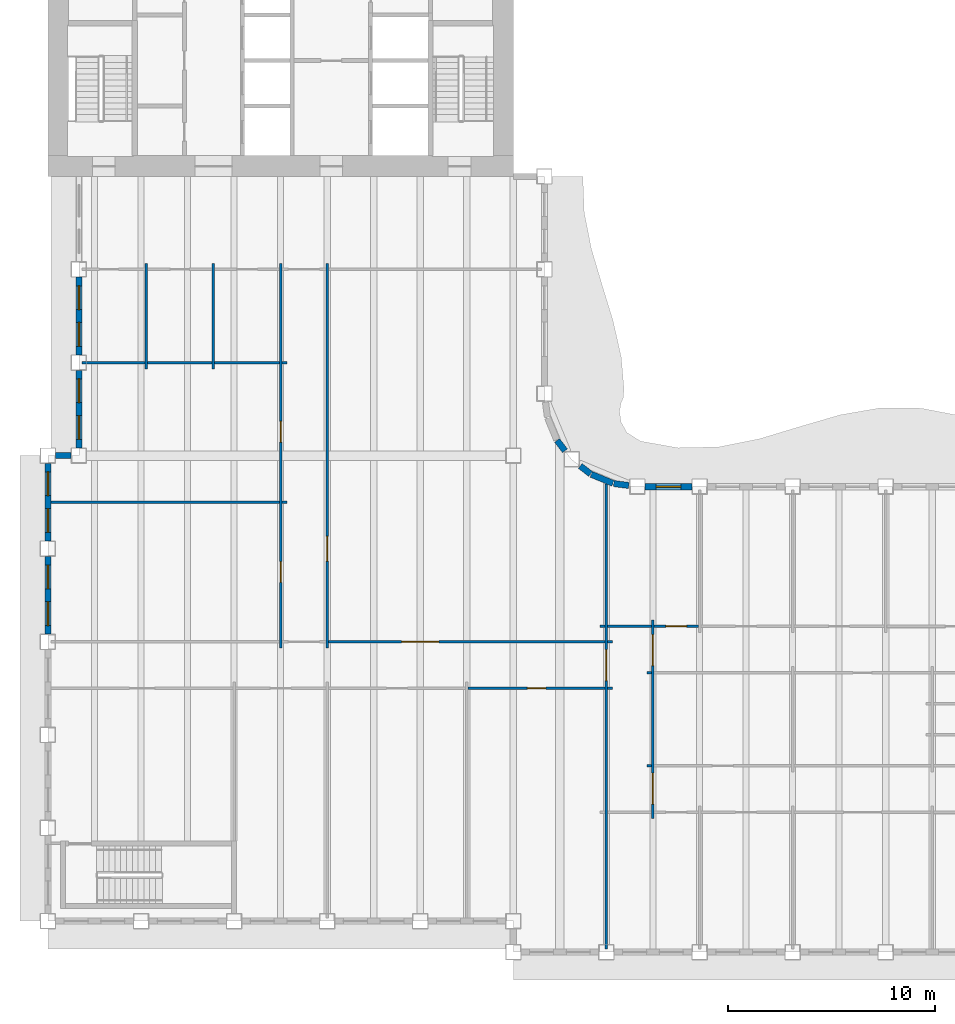
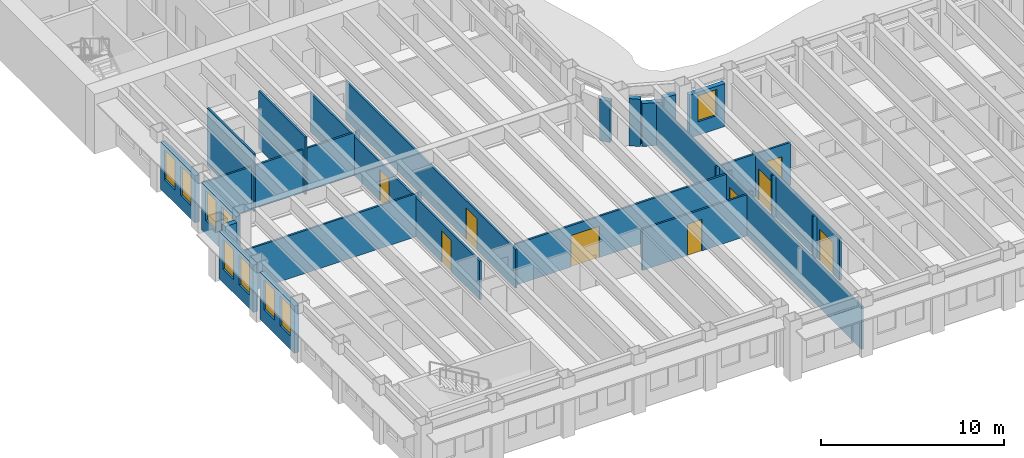
# One storey, part 4 of 16: 31 walls, 9 doors, 9 windows, 18 openings.
"""IFC4 building model written with IfcOpenShell, lengths in metres."""

from ifc_helpers import new_model, si_unit, direction, frame, frame_2d, origin, place, context, subcontext, project, spatial, rectangle, extrude, material, layer, layer_set, type_object, element, fill, save


model = new_model("IFC4")

# Units and contexts
model_context = context("Model", 3, precision=1e-05, world=origin(), true_north=direction((0.0, 1.0)))
body_context = subcontext(model_context, "Body", "Model", "MODEL_VIEW")
ifc_project = project(units=[si_unit("LENGTHUNIT", "METRE"), si_unit("AREAUNIT", "SQUARE_METRE"), si_unit("VOLUMEUNIT", "CUBIC_METRE"), si_unit("PLANEANGLEUNIT", "RADIAN"), si_unit("MASSUNIT", "GRAM", prefix="KILO")], contexts=[model_context])

# Site, building, storey
site_placement = place(None, origin())
site = spatial("IfcSite", under=ifc_project, at=site_placement, CompositionType="ELEMENT")
building_placement = place(site_placement, origin())
building = spatial("IfcBuilding", under=site, at=building_placement, Name="Sennacour Bend Tower", CompositionType="ELEMENT")
storey_placement = place(building_placement, frame((0.0, 0.0, 211.0)))
storey = spatial("IfcBuildingStorey", under=building, at=storey_placement, Name="L48", CompositionType="ELEMENT", Elevation=211.0)

# Walls
ifc_material_1 = material(Name="Plasterboard partition on steel studs", Category="steel")
ifc_layer_1 = layer(ifc_material_1, 0.1201171875, Name="Plasterboard partition on steel studs", Category="steel")
ifc_layer_set_1 = layer_set([ifc_layer_1], Name="Plasterboard partition on steel studs")
wall_type_1 = type_object("IfcWallType", Name="Partition 120", PredefinedType="PARTITIONING", material=ifc_layer_set_1)
for number, where, z_axis, x_axis, name in (
    (1, (4.75, 26.699951171875, 0.0), (0.0, 0.0, 1.0), (0.0, 1.0, 0.0), "P-L48-W006a"),
    (2, (8.0, 26.699951171875, 0.0), (0.0, 0.0, 1.0), (0.0, 1.0, 0.0), "P-L48-W008a"),
):
    element("IfcWall", number, at=place(storey_placement, frame(where, z_axis=z_axis, x_axis=x_axis)), inside=storey, type_object=wall_type_1, Name=name, PredefinedType="PARTITIONING", context=body_context, shape_type="SweptSolid", body=[
        extrude(rectangle(XDim=5.10009765625, YDim=0.1201171875, at=frame_2d((2.550048828125, 0.0))), origin(), (0.0, 0.0, 1.0), 3.85009765625),
    ])

# Wall, openings, doors
wall_1_placement = place(storey_placement, frame((11.25, 13.199951171875, 0.0), z_axis=(0.0, 0.0, 1.0), x_axis=(0.0, 1.0, 0.0)))
wall_1 = element("IfcWall", 3, at=wall_1_placement, inside=storey, type_object=wall_type_1, Name="P-L48-W013a", PredefinedType="PARTITIONING", context=body_context, shape_type="SweptSolid", body=[
    extrude(rectangle(XDim=18.60009765625, YDim=0.1201171875, at=frame_2d((9.300048828125, 0.0))), origin(), (0.0, 0.0, 1.0), 2.60009765625),
])
opening_1_placement = place(wall_1_placement, frame((3.175048828125, 0.0, 0.0)))
opening_1 = element("IfcOpeningElement", 4, at=opening_1_placement, cuts=wall_1, Name="Opening OD2", PredefinedType="OPENING", context=body_context, shape_type="SweptSolid", body=[
    extrude(rectangle(XDim=1.0, YDim=2.10009765625, at=frame_2d((0.5, 1.050048828125))), frame((0.0, 0.070068359375, 0.0), z_axis=(0.0, -1.0, 0.0), x_axis=(1.0, 0.0, 0.0)), (0.0, 0.0, 1.0), 0.14013671875),
])
opening_2_placement = place(wall_1_placement, frame((9.955078125, 0.0, 0.0)))
opening_2 = element("IfcOpeningElement", 5, at=opening_2_placement, cuts=wall_1, Name="Opening OD2", PredefinedType="OPENING", context=body_context, shape_type="SweptSolid", body=[
    extrude(rectangle(XDim=1.0, YDim=2.10009765625, at=frame_2d((0.5, 1.050048828125))), frame((0.0, 0.070068359375, 0.0), z_axis=(0.0, -1.0, 0.0), x_axis=(1.0, 0.0, 0.0)), (0.0, 0.0, 1.0), 0.14013671875),
])
ifc_material_2 = material(Name="Timber", Category="wood")
door_type_1 = type_object("IfcDoorType", Name="DR-OFFICE-1000", OperationType="NOTDEFINED", PredefinedType="DOOR", material=ifc_material_2)
door_1_placement = place(opening_1_placement, origin())
door_1 = element("IfcDoor", 6, at=door_1_placement, inside=storey, type_object=door_type_1, Name="Door", OperationType="SINGLE_SWING_LEFT", OverallHeight=2.10009765625, OverallWidth=1.0, PredefinedType="DOOR", context=body_context, shape_type="SweptSolid", body=[
    extrude(rectangle(XDim=1.0, YDim=2.10009765625, at=frame_2d((0.5, 1.050048828125))), frame((0.0, 0.02490234375, 0.0), z_axis=(0.0, -1.0, 0.0), x_axis=(1.0, 0.0, 0.0)), (0.0, 0.0, 1.0), 0.050048828125),
])
fill(opening_1, door_1)
door_2_placement = place(opening_2_placement, origin())
door_2 = element("IfcDoor", 7, at=door_2_placement, inside=storey, type_object=door_type_1, Name="Door", OperationType="SINGLE_SWING_RIGHT", OverallHeight=2.10009765625, OverallWidth=1.0, PredefinedType="DOOR", context=body_context, shape_type="SweptSolid", body=[
    extrude(rectangle(XDim=1.0, YDim=2.10009765625, at=frame_2d((0.5, 1.050048828125))), frame((0.0, 0.02490234375, 0.0), z_axis=(0.0, -1.0, 0.0), x_axis=(1.0, 0.0, 0.0)), (0.0, 0.0, 1.0), 0.050048828125),
])
fill(opening_2, door_2)

# Wall, opening, door
wall_2_placement = place(storey_placement, frame((13.5, 13.199951171875, 0.0), z_axis=(0.0, 0.0, 1.0), x_axis=(0.0, 1.0, 0.0)))
wall_2 = element("IfcWall", 8, at=wall_2_placement, inside=storey, type_object=wall_type_1, Name="P-L48-W016a", PredefinedType="PARTITIONING", context=body_context, shape_type="SweptSolid", body=[
    extrude(rectangle(XDim=18.60009765625, YDim=0.1201171875, at=frame_2d((9.300048828125, 0.0))), origin(), (0.0, 0.0, 1.0), 2.60009765625),
])
opening_3_placement = place(wall_2_placement, frame((4.199951171875, 0.0, 0.0)))
opening_3 = element("IfcOpeningElement", 9, at=opening_3_placement, cuts=wall_2, Name="Opening OD", PredefinedType="OPENING", context=body_context, shape_type="SweptSolid", body=[
    extrude(rectangle(XDim=1.199951171875, YDim=2.10009765625, at=frame_2d((0.60009765625, 1.050048828125))), frame((0.0, 0.070068359375, 0.0), z_axis=(0.0, -1.0, 0.0), x_axis=(1.0, 0.0, 0.0)), (0.0, 0.0, 1.0), 0.14013671875),
])
door_type_2 = type_object("IfcDoorType", Name="DR-OFFICE-1200", OperationType="NOTDEFINED", PredefinedType="DOOR", material=ifc_material_2)
door_3_placement = place(opening_3_placement, origin())
door_3 = element("IfcDoor", 10, at=door_3_placement, inside=storey, type_object=door_type_2, Name="Door", OperationType="SINGLE_SWING_LEFT", OverallHeight=2.10009765625, OverallWidth=1.199951171875, PredefinedType="DOOR", context=body_context, shape_type="SweptSolid", body=[
    extrude(rectangle(XDim=1.199951171875, YDim=2.10009765625, at=frame_2d((0.60009765625, 1.050048828125))), frame((0.0, 0.02490234375, 0.0), z_axis=(0.0, -1.0, 0.0), x_axis=(1.0, 0.0, 0.0)), (0.0, 0.0, 1.0), 0.050048828125),
])
fill(opening_3, door_3)

# Walls
for number, where, z_axis, x_axis, name in (
    (11, (28.949951171875, 7.5, 0.0), (0.0, 0.0, 1.0), (1.0, 0.0, 0.0), "P-L48-W057aa"),
    (12, (27.06005859375, 11.25, 0.0), (0.0, 0.0, 1.0), (1.0, 0.0, 0.0), "P-L48-W061ae"),
    (13, (28.949951171875, 12.0, 0.0), (0.0, 0.0, 1.0), (1.0, 0.0, 0.0), "P-L48-W063aa"),
):
    element("IfcWall", number, at=place(storey_placement, frame(where, z_axis=z_axis, x_axis=x_axis)), inside=storey, type_object=wall_type_1, Name=name, PredefinedType="PARTITIONING", context=body_context, shape_type="SweptSolid", body=[
        extrude(rectangle(XDim=0.239990234375, YDim=0.1201171875, at=frame_2d((0.1201171875, 0.0))), origin(), (0.0, 0.0, 1.0), 2.8701171875),
    ])

# Wall, opening, door
wall_3_placement = place(storey_placement, frame((13.56005859375, 13.5, 0.0), z_axis=(0.0, 0.0, 1.0), x_axis=(1.0, 0.0, 0.0)))
wall_3 = element("IfcWall", 14, at=wall_3_placement, inside=storey, type_object=wall_type_1, Name="P-L48-W064ac", PredefinedType="PARTITIONING", context=body_context, shape_type="SweptSolid", body=[
    extrude(rectangle(XDim=13.3798828125, YDim=0.1201171875, at=frame_2d((6.68994140625, 0.0))), origin(), (0.0, 0.0, 1.0), 2.760009765625),
])
opening_4_placement = place(wall_3_placement, frame((3.539794921875, 0.0, 0.0)))
opening_4 = element("IfcOpeningElement", 15, at=opening_4_placement, cuts=wall_3, Name="Opening OD3", PredefinedType="OPENING", context=body_context, shape_type="SweptSolid", body=[
    extrude(rectangle(XDim=1.800048828125, YDim=2.10009765625, at=frame_2d((0.89990234375, 1.050048828125))), frame((0.0, 0.070068359375, 0.0), z_axis=(0.0, -1.0, 0.0), x_axis=(1.0, 0.0, 0.0)), (0.0, 0.0, 1.0), 0.14013671875),
])
door_type_3 = type_object("IfcDoorType", Name="DR-OFFICE-1800", OperationType="NOTDEFINED", PredefinedType="DOOR", material=ifc_material_2)
door_4_placement = place(opening_4_placement, origin())
door_4 = element("IfcDoor", 16, at=door_4_placement, inside=storey, type_object=door_type_3, Name="Door", OperationType="DOUBLE_DOOR_SINGLE_SWING", OverallHeight=2.10009765625, OverallWidth=1.800048828125, PredefinedType="DOOR", context=body_context, shape_type="SweptSolid", body=[
    extrude(rectangle(XDim=1.800048828125, YDim=2.10009765625, at=frame_2d((0.89990234375, 1.050048828125))), frame((0.0, 0.02490234375, 0.0), z_axis=(0.0, -1.0, 0.0), x_axis=(1.0, 0.0, 0.0)), (0.0, 0.0, 1.0), 0.050048828125),
])
fill(opening_4, door_4)

# Walls
for number, where, z_axis, x_axis, name in (
    (17, (27.06005859375, 13.5, 0.0), (0.0, 0.0, 1.0), (1.0, 0.0, 0.0), "P-L48-W064ad"),
    (18, (26.699951171875, 14.25, 0.0), (0.0, 0.0, 1.0), (1.0, 0.0, 0.0), "P-L48-W065aa"),
):
    element("IfcWall", number, at=place(storey_placement, frame(where, z_axis=z_axis, x_axis=x_axis)), inside=storey, type_object=wall_type_1, Name=name, PredefinedType="PARTITIONING", context=body_context, shape_type="SweptSolid", body=[
        extrude(rectangle(XDim=0.239990234375, YDim=0.1201171875, at=frame_2d((0.1201171875, 0.0))), origin(), (0.0, 0.0, 1.0), 2.8701171875),
    ])
wall_4_placement = place(storey_placement, frame((27.06005859375, 14.25, 0.0), z_axis=(0.0, 0.0, 1.0), x_axis=(1.0, 0.0, 0.0)))
element("IfcWall", 19, at=wall_4_placement, inside=storey, type_object=wall_type_1, Name="P-L48-W065ab", PredefinedType="PARTITIONING", context=body_context, shape_type="SweptSolid", body=[
    extrude(rectangle(XDim=2.1298828125, YDim=0.1201171875, at=frame_2d((1.06494140625, 0.0))), origin(), (0.0, 0.0, 1.0), 2.8701171875),
])

# Wall, opening, door
wall_5_placement = place(storey_placement, frame((29.31005859375, 14.25, 0.0), z_axis=(0.0, 0.0, 1.0), x_axis=(1.0, 0.0, 0.0)))
wall_5 = element("IfcWall", 20, at=wall_5_placement, inside=storey, type_object=wall_type_1, Name="P-L48-W065ac", PredefinedType="PARTITIONING", context=body_context, shape_type="SweptSolid", body=[
    extrude(rectangle(XDim=2.1298828125, YDim=0.1201171875, at=frame_2d((1.06494140625, 0.0))), origin(), (0.0, 0.0, 1.0), 2.8701171875),
])
opening_5_placement = place(wall_5_placement, frame((0.56494140625, 0.0, 0.0)))
opening_5 = element("IfcOpeningElement", 21, at=opening_5_placement, cuts=wall_5, Name="Opening OD2", PredefinedType="OPENING", context=body_context, shape_type="SweptSolid", body=[
    extrude(rectangle(XDim=1.0, YDim=2.10009765625, at=frame_2d((0.5, 1.050048828125))), frame((0.0, 0.070068359375, 0.0), z_axis=(0.0, -1.0, 0.0), x_axis=(1.0, 0.0, 0.0)), (0.0, 0.0, 1.0), 0.14013671875),
])
door_5_placement = place(opening_5_placement, origin())
door_5 = element("IfcDoor", 22, at=door_5_placement, inside=storey, type_object=door_type_1, Name="Door", OperationType="SINGLE_SWING_LEFT", OverallHeight=2.10009765625, OverallWidth=1.0, PredefinedType="DOOR", context=body_context, shape_type="SweptSolid", body=[
    extrude(rectangle(XDim=1.0, YDim=2.10009765625, at=frame_2d((0.5, 1.050048828125))), frame((0.0, 0.02490234375, 0.0), z_axis=(0.0, -1.0, 0.0), x_axis=(1.0, 0.0, 0.0)), (0.0, 0.0, 1.0), 0.050048828125),
])
fill(opening_5, door_5)

# Walls
wall_6_placement = place(storey_placement, frame((0.14990234375, 20.25, 0.0), z_axis=(0.0, 0.0, 1.0), x_axis=(1.0, 0.0, 0.0)))
element("IfcWall", 23, at=wall_6_placement, inside=storey, type_object=wall_type_1, Name="P-L48-W071aa", PredefinedType="PARTITIONING", context=body_context, shape_type="SweptSolid", body=[
    extrude(rectangle(XDim=11.0400390625, YDim=0.1201171875, at=frame_2d((5.52001953125, 0.0))), origin(), (0.0, 0.0, 1.0), 2.8701171875),
])
wall_7_placement = place(storey_placement, frame((11.31005859375, 20.25, 0.0), z_axis=(0.0, 0.0, 1.0), x_axis=(1.0, 0.0, 0.0)))
element("IfcWall", 24, at=wall_7_placement, inside=storey, type_object=wall_type_1, Name="P-L48-W071ab", PredefinedType="PARTITIONING", context=body_context, shape_type="SweptSolid", body=[
    extrude(rectangle(XDim=0.239990234375, YDim=0.1201171875, at=frame_2d((0.1201171875, 0.0))), origin(), (0.0, 0.0, 1.0), 2.8701171875),
])
wall_8_placement = place(storey_placement, frame((1.64990234375, 27.0, 0.0), z_axis=(0.0, 0.0, 1.0), x_axis=(1.0, 0.0, 0.0)))
element("IfcWall", 25, at=wall_8_placement, inside=storey, type_object=wall_type_1, Name="P-L48-W074aa", PredefinedType="PARTITIONING", context=body_context, shape_type="SweptSolid", body=[
    extrude(rectangle(XDim=3.0400390625, YDim=0.1201171875, at=frame_2d((1.52001953125, 0.0))), origin(), (0.0, 0.0, 1.0), 2.8701171875),
])
for number, where, z_axis, x_axis, name in (
    (26, (4.81005859375, 27.0, 0.0), (0.0, 0.0, 1.0), (1.0, 0.0, 0.0), "P-L48-W074ab"),
    (27, (8.06005859375, 27.0, 0.0), (0.0, 0.0, 1.0), (1.0, 0.0, 0.0), "P-L48-W074ac"),
):
    element("IfcWall", number, at=place(storey_placement, frame(where, z_axis=z_axis, x_axis=x_axis)), inside=storey, type_object=wall_type_1, Name=name, PredefinedType="PARTITIONING", context=body_context, shape_type="SweptSolid", body=[
        extrude(rectangle(XDim=3.1298828125, YDim=0.1201171875, at=frame_2d((1.56494140625, 0.0))), origin(), (0.0, 0.0, 1.0), 2.8701171875),
    ])
wall_9_placement = place(storey_placement, frame((11.31005859375, 27.0, 0.0), z_axis=(0.0, 0.0, 1.0), x_axis=(1.0, 0.0, 0.0)))
element("IfcWall", 28, at=wall_9_placement, inside=storey, type_object=wall_type_1, Name="P-L48-W074ad", PredefinedType="PARTITIONING", context=body_context, shape_type="SweptSolid", body=[
    extrude(rectangle(XDim=0.239990234375, YDim=0.1201171875, at=frame_2d((0.1201171875, 0.0))), origin(), (0.0, 0.0, 1.0), 2.8701171875),
])

# Wall, opening, door
ifc_layer_2 = layer(ifc_material_1, 0.1201171875, Name="Plasterboard partition on steel studs", Category="steel")
ifc_layer_set_2 = layer_set([ifc_layer_2], Name="Plasterboard partition on steel studs")
wall_type_2 = type_object("IfcWallType", Name="Partition 120 EI 30", PredefinedType="PARTITIONING", material=ifc_layer_set_2)
wall_10_placement = place(storey_placement, frame((27.0, -1.35009765625, 0.0), z_axis=(0.0, 0.0, 1.0), x_axis=(0.0, 1.0, 0.0)))
wall_10 = element("IfcWall", 29, at=wall_10_placement, inside=storey, type_object=wall_type_2, Name="P-L48-W024a", PredefinedType="PARTITIONING", context=body_context, shape_type="SweptSolid", body=[
    extrude(rectangle(XDim=22.47998046875, YDim=0.1201171875, at=frame_2d((11.239990234375, 0.0))), origin(), (0.0, 0.0, 1.0), 2.8701171875),
])
opening_6_placement = place(wall_10_placement, frame((12.97509765625, 0.0, 0.0)))
opening_6 = element("IfcOpeningElement", 30, at=opening_6_placement, cuts=wall_10, Name="Opening KD", PredefinedType="OPENING", context=body_context, shape_type="SweptSolid", body=[
    extrude(rectangle(XDim=1.5, YDim=2.10009765625, at=frame_2d((0.75, 1.050048828125))), frame((0.0, 0.070068359375, 0.0), z_axis=(0.0, -1.0, 0.0), x_axis=(1.0, 0.0, 0.0)), (0.0, 0.0, 1.0), 0.14013671875),
])
ifc_material_3 = material(Name="Painted steel", Category="steel")
door_type_4 = type_object("IfcDoorType", Name="DR-CORRIDOR-1500", OperationType="NOTDEFINED", PredefinedType="DOOR", material=ifc_material_3)
door_6_placement = place(opening_6_placement, origin())
door_6 = element("IfcDoor", 31, at=door_6_placement, inside=storey, type_object=door_type_4, Name="Door", OperationType="SINGLE_SWING_RIGHT", OverallHeight=2.10009765625, OverallWidth=1.5, PredefinedType="DOOR", context=body_context, shape_type="SweptSolid", body=[
    extrude(rectangle(XDim=1.5, YDim=2.10009765625, at=frame_2d((0.75, 1.050048828125))), frame((0.0, 0.02490234375, 0.0), z_axis=(0.0, -1.0, 0.0), x_axis=(1.0, 0.0, 0.0)), (0.0, 0.0, 1.0), 0.050048828125),
])
fill(opening_6, door_6)

# Wall, openings, doors
wall_11_placement = place(storey_placement, frame((29.25, 4.949951171875, 0.0), z_axis=(0.0, 0.0, 1.0), x_axis=(0.0, 1.0, 0.0)))
wall_11 = element("IfcWall", 32, at=wall_11_placement, inside=storey, type_object=wall_type_2, Name="P-L48-W025a", PredefinedType="PARTITIONING", context=body_context, shape_type="SweptSolid", body=[
    extrude(rectangle(XDim=9.60009765625, YDim=0.1201171875, at=frame_2d((4.800048828125, 0.0))), origin(), (0.0, 0.0, 1.0), 2.8701171875),
])
opening_7_placement = place(wall_11_placement, frame((0.705078125, 0.0, 0.0)))
opening_7 = element("IfcOpeningElement", 33, at=opening_7_placement, cuts=wall_11, Name="Opening KD", PredefinedType="OPENING", context=body_context, shape_type="SweptSolid", body=[
    extrude(rectangle(XDim=1.5, YDim=2.10009765625, at=frame_2d((0.75, 1.050048828125))), frame((0.0, 0.070068359375, 0.0), z_axis=(0.0, -1.0, 0.0), x_axis=(1.0, 0.0, 0.0)), (0.0, 0.0, 1.0), 0.14013671875),
])
opening_8_placement = place(wall_11_placement, frame((7.39501953125, 0.0, 0.0)))
opening_8 = element("IfcOpeningElement", 34, at=opening_8_placement, cuts=wall_11, Name="Opening KD", PredefinedType="OPENING", context=body_context, shape_type="SweptSolid", body=[
    extrude(rectangle(XDim=1.5, YDim=2.10009765625, at=frame_2d((0.75, 1.050048828125))), frame((0.0, 0.070068359375, 0.0), z_axis=(0.0, -1.0, 0.0), x_axis=(1.0, 0.0, 0.0)), (0.0, 0.0, 1.0), 0.14013671875),
])
door_7_placement = place(opening_7_placement, origin())
door_7 = element("IfcDoor", 35, at=door_7_placement, inside=storey, type_object=door_type_4, Name="Door", OperationType="SINGLE_SWING_LEFT", OverallHeight=2.10009765625, OverallWidth=1.5, PredefinedType="DOOR", context=body_context, shape_type="SweptSolid", body=[
    extrude(rectangle(XDim=1.5, YDim=2.10009765625, at=frame_2d((0.75, 1.050048828125))), frame((0.0, 0.02490234375, 0.0), z_axis=(0.0, -1.0, 0.0), x_axis=(1.0, 0.0, 0.0)), (0.0, 0.0, 1.0), 0.050048828125),
])
fill(opening_7, door_7)
door_8_placement = place(opening_8_placement, origin())
door_8 = element("IfcDoor", 36, at=door_8_placement, inside=storey, type_object=door_type_4, Name="Door", OperationType="SINGLE_SWING_RIGHT", OverallHeight=2.10009765625, OverallWidth=1.5, PredefinedType="DOOR", context=body_context, shape_type="SweptSolid", body=[
    extrude(rectangle(XDim=1.5, YDim=2.10009765625, at=frame_2d((0.75, 1.050048828125))), frame((0.0, 0.02490234375, 0.0), z_axis=(0.0, -1.0, 0.0), x_axis=(1.0, 0.0, 0.0)), (0.0, 0.0, 1.0), 0.050048828125),
])
fill(opening_8, door_8)

# Wall, opening, door
ifc_layer_3 = layer(ifc_material_1, 0.1201171875, Name="Plasterboard partition on steel studs", Category="steel")
ifc_layer_set_3 = layer_set([ifc_layer_3], Name="Plasterboard partition on steel studs")
wall_type_3 = type_object("IfcWallType", Name="Partition 120 EI 60", PredefinedType="PARTITIONING", material=ifc_layer_set_3)
wall_12_placement = place(storey_placement, frame((20.31005859375, 11.25, 0.0), z_axis=(0.0, 0.0, 1.0), x_axis=(1.0, 0.0, 0.0)))
wall_12 = element("IfcWall", 37, at=wall_12_placement, inside=storey, type_object=wall_type_3, Name="P-L48-W061ad", PredefinedType="PARTITIONING", context=body_context, shape_type="SweptSolid", body=[
    extrude(rectangle(XDim=6.6298828125, YDim=0.1201171875, at=frame_2d((3.31494140625, 0.0))), origin(), (0.0, 0.0, 1.0), 2.760009765625),
])
opening_9_placement = place(wall_12_placement, frame((2.864990234375, 0.0, 0.0)))
opening_9 = element("IfcOpeningElement", 38, at=opening_9_placement, cuts=wall_12, Name="Opening SV", PredefinedType="OPENING", context=body_context, shape_type="SweptSolid", body=[
    extrude(rectangle(XDim=0.89990234375, YDim=2.10009765625, at=frame_2d((0.449951171875, 1.050048828125))), frame((0.0, 0.070068359375, 0.0), z_axis=(0.0, -1.0, 0.0), x_axis=(1.0, 0.0, 0.0)), (0.0, 0.0, 1.0), 0.14013671875),
])
door_type_5 = type_object("IfcDoorType", Name="DR-SERVICE-900", OperationType="NOTDEFINED", PredefinedType="DOOR", material=ifc_material_3)
door_9_placement = place(opening_9_placement, origin())
door_9 = element("IfcDoor", 39, at=door_9_placement, inside=storey, type_object=door_type_5, Name="Door", OperationType="SINGLE_SWING_LEFT", OverallHeight=2.10009765625, OverallWidth=0.89990234375, PredefinedType="DOOR", context=body_context, shape_type="SweptSolid", body=[
    extrude(rectangle(XDim=0.89990234375, YDim=2.10009765625, at=frame_2d((0.449951171875, 1.050048828125))), frame((0.0, 0.02490234375, 0.0), z_axis=(0.0, -1.0, 0.0), x_axis=(1.0, 0.0, 0.0)), (0.0, 0.0, 1.0), 0.050048828125),
])
fill(opening_9, door_9)

# Wall, opening, window
ifc_material_4 = material(Name="Warm limestone cladding", Category="masonry")
ifc_layer_4 = layer(ifc_material_4, 0.050048828125, Name="Warm limestone cladding", Category="masonry")
ifc_material_5 = material(Name="Precast concrete C40/50", Category="concrete")
ifc_layer_5 = layer(ifc_material_5, 0.25, Name="Precast concrete C40/50", Category="concrete")
ifc_layer_set_4 = layer_set([ifc_layer_4, ifc_layer_5], Name="Precast concrete C40/50 with limestone cladding")
wall_type_4 = type_object("IfcWallType", Name="STONE-CLAD PRECAST SPANDREL 300", PredefinedType="STANDARD", material=ifc_layer_set_4)
wall_13_placement = place(storey_placement, frame((31.125, 21.0, 0.0), z_axis=(0.0, 0.0, 1.0), x_axis=(-1.0, 0.0, 0.0)))
wall_13 = element("IfcWall", 40, at=wall_13_placement, inside=storey, type_object=wall_type_4, Name="Stone spandrel and pier wall L48 06.05", PredefinedType="STANDARD", context=body_context, shape_type="SweptSolid", body=[
    extrude(rectangle(XDim=2.25, YDim=0.300048828125, at=frame_2d((1.125, 0.0))), origin(), (0.0, 0.0, 1.0), 2.8701171875),
])
opening_10_placement = place(wall_13_placement, frame((0.52490234375, 0.0, 0.89990234375)))
opening_10 = element("IfcOpeningElement", 41, at=opening_10_placement, cuts=wall_13, Name="Opening W16", PredefinedType="OPENING", context=body_context, shape_type="SweptSolid", body=[
    extrude(rectangle(XDim=1.199951171875, YDim=1.75, at=frame_2d((0.60009765625, 0.875))), frame((0.0, 0.16015625, 0.0), z_axis=(0.0, -1.0, 0.0), x_axis=(1.0, 0.0, 0.0)), (0.0, 0.0, 1.0), 0.320068359375),
])
ifc_material_6 = material(Name="Clear low-emissivity glass", Category="glass")
window_type_1 = type_object("IfcWindowType", Name="WIN-RIBBON-1200x1750", PartitioningType="SINGLE_PANEL", PredefinedType="WINDOW", material=ifc_material_6)
window_1_placement = place(opening_10_placement, origin())
window_1 = element("IfcWindow", 42, at=window_1_placement, inside=storey, type_object=window_type_1, Name="Ribbon window L48 06.05", OverallHeight=1.75, OverallWidth=1.199951171875, PartitioningType="SINGLE_PANEL", PredefinedType="WINDOW", context=body_context, shape_type="SweptSolid", body=[
    extrude(rectangle(XDim=1.199951171875, YDim=1.75, at=frame_2d((0.60009765625, 0.875))), frame((0.0, 0.030029296875, 0.0), z_axis=(0.0, -1.0, 0.0), x_axis=(1.0, 0.0, 0.0)), (0.0, 0.0, 1.0), 0.06005859375),
])
fill(opening_10, window_1)

# Walls
wall_14_placement = place(storey_placement, frame((28.0830078125, 21.054931640625, 0.0), z_axis=(0.0, 0.0, 1.0), x_axis=(-0.99142711513, 0.130660917588, 0.0)))
element("IfcWall", 43, at=wall_14_placement, inside=storey, type_object=wall_type_4, Name="Stone spandrel and pier wall L48 07.00", PredefinedType="STANDARD", context=body_context, shape_type="SweptSolid", body=[
    extrude(rectangle(XDim=0.734375, YDim=0.300048828125, at=frame_2d((0.3671875, 0.0))), origin(), (0.0, 0.0, 1.0), 3.156982421875),
])
wall_15_placement = place(storey_placement, frame((27.317138671875, 21.160888671875, 0.0), z_axis=(0.0, 0.0, 1.0), x_axis=(-0.923914616768, 0.382598720491, 0.0)))
element("IfcWall", 44, at=wall_15_placement, inside=storey, type_object=wall_type_4, Name="Stone spandrel and pier wall L48 08.00", PredefinedType="STANDARD", context=body_context, shape_type="SweptSolid", body=[
    extrude(rectangle(XDim=1.13525390625, YDim=0.300048828125, at=frame_2d((0.567626953125, 0.0))), origin(), (0.0, 0.0, 1.0), 2.8701171875),
])
wall_16_placement = place(storey_placement, frame((26.234375, 21.614990234375, 0.0), z_axis=(0.0, 0.0, 1.0), x_axis=(-0.793575131083, 0.608472276547, 0.0)))
element("IfcWall", 45, at=wall_16_placement, inside=storey, type_object=wall_type_4, Name="Stone spandrel and pier wall L48 09.00", PredefinedType="STANDARD", context=body_context, shape_type="SweptSolid", body=[
    extrude(rectangle(XDim=0.629150390625, YDim=0.300048828125, at=frame_2d((0.314453125, 0.0))), origin(), (0.0, 0.0, 1.0), 3.156982421875),
])
wall_17_placement = place(storey_placement, frame((24.997802734375, 22.735107421875, 0.0), z_axis=(0.0, 0.0, 1.0), x_axis=(-0.608472276547, 0.793575131083, 0.0)))
element("IfcWall", 46, at=wall_17_placement, inside=storey, type_object=wall_type_4, Name="Stone spandrel and pier wall L48 10.00", PredefinedType="STANDARD", context=body_context, shape_type="SweptSolid", body=[
    extrude(rectangle(XDim=0.629150390625, YDim=0.300048828125, at=frame_2d((0.314453125, 0.0))), origin(), (0.0, 0.0, 1.0), 2.760009765625),
])

# Wall, openings, windows
wall_18_placement = place(storey_placement, frame((1.5, 31.125, 0.0), z_axis=(0.0, 0.0, 1.0), x_axis=(0.0, -1.0, 0.0)))
wall_18 = element("IfcWall", 47, at=wall_18_placement, inside=storey, type_object=wall_type_4, Name="Stone spandrel and pier wall L48 19.01", PredefinedType="STANDARD", context=body_context, shape_type="SweptSolid", body=[
    extrude(rectangle(XDim=3.75, YDim=0.300048828125, at=frame_2d((1.875, 0.0))), origin(), (0.0, 0.0, 1.0), 3.156982421875),
])
opening_11_placement = place(wall_18_placement, frame((0.41259765625, 0.0, 0.89990234375)))
opening_11 = element("IfcOpeningElement", 48, at=opening_11_placement, cuts=wall_18, Name="Opening W24", PredefinedType="OPENING", context=body_context, shape_type="SweptSolid", body=[
    extrude(rectangle(XDim=1.14990234375, YDim=2.0, at=frame_2d((0.574951171875, 1.0))), frame((0.0, 0.16015625, 0.0), z_axis=(0.0, -1.0, 0.0), x_axis=(1.0, 0.0, 0.0)), (0.0, 0.0, 1.0), 0.320068359375),
])
opening_12_placement = place(wall_18_placement, frame((2.1875, 0.0, 0.89990234375)))
opening_12 = element("IfcOpeningElement", 49, at=opening_12_placement, cuts=wall_18, Name="Opening W24", PredefinedType="OPENING", context=body_context, shape_type="SweptSolid", body=[
    extrude(rectangle(XDim=1.14990234375, YDim=2.0, at=frame_2d((0.574951171875, 1.0))), frame((0.0, 0.16015625, 0.0), z_axis=(0.0, -1.0, 0.0), x_axis=(1.0, 0.0, 0.0)), (0.0, 0.0, 1.0), 0.320068359375),
])
window_type_2 = type_object("IfcWindowType", Name="WIN-RIBBON-1150x2000", PartitioningType="SINGLE_PANEL", PredefinedType="WINDOW", material=ifc_material_6)
window_2_placement = place(opening_11_placement, origin())
window_2 = element("IfcWindow", 50, at=window_2_placement, inside=storey, type_object=window_type_2, Name="Ribbon window L48 19.01.0", OverallHeight=2.0, OverallWidth=1.14990234375, PartitioningType="SINGLE_PANEL", PredefinedType="WINDOW", context=body_context, shape_type="SweptSolid", body=[
    extrude(rectangle(XDim=1.14990234375, YDim=2.0, at=frame_2d((0.574951171875, 1.0))), frame((0.0, 0.030029296875, 0.0), z_axis=(0.0, -1.0, 0.0), x_axis=(1.0, 0.0, 0.0)), (0.0, 0.0, 1.0), 0.06005859375),
])
fill(opening_11, window_2)
window_3_placement = place(opening_12_placement, origin())
window_3 = element("IfcWindow", 51, at=window_3_placement, inside=storey, type_object=window_type_2, Name="Ribbon window L48 19.01.1", OverallHeight=2.0, OverallWidth=1.14990234375, PartitioningType="SINGLE_PANEL", PredefinedType="WINDOW", context=body_context, shape_type="SweptSolid", body=[
    extrude(rectangle(XDim=1.14990234375, YDim=2.0, at=frame_2d((0.574951171875, 1.0))), frame((0.0, 0.030029296875, 0.0), z_axis=(0.0, -1.0, 0.0), x_axis=(1.0, 0.0, 0.0)), (0.0, 0.0, 1.0), 0.06005859375),
])
fill(opening_12, window_3)

wall_19_placement = place(storey_placement, frame((1.5, 26.625, 0.0), z_axis=(0.0, 0.0, 1.0), x_axis=(0.0, -1.0, 0.0)))
wall_19 = element("IfcWall", 52, at=wall_19_placement, inside=storey, type_object=wall_type_4, Name="Stone spandrel and pier wall L48 19.02", PredefinedType="STANDARD", context=body_context, shape_type="SweptSolid", body=[
    extrude(rectangle(XDim=3.75, YDim=0.300048828125, at=frame_2d((1.875, 0.0))), origin(), (0.0, 0.0, 1.0), 3.156982421875),
])
opening_13_placement = place(wall_19_placement, frame((0.41259765625, 0.0, 0.89990234375)))
opening_13 = element("IfcOpeningElement", 53, at=opening_13_placement, cuts=wall_19, Name="Opening W24", PredefinedType="OPENING", context=body_context, shape_type="SweptSolid", body=[
    extrude(rectangle(XDim=1.14990234375, YDim=2.0, at=frame_2d((0.574951171875, 1.0))), frame((0.0, 0.16015625, 0.0), z_axis=(0.0, -1.0, 0.0), x_axis=(1.0, 0.0, 0.0)), (0.0, 0.0, 1.0), 0.320068359375),
])
opening_14_placement = place(wall_19_placement, frame((2.1875, 0.0, 0.89990234375)))
opening_14 = element("IfcOpeningElement", 54, at=opening_14_placement, cuts=wall_19, Name="Opening W24", PredefinedType="OPENING", context=body_context, shape_type="SweptSolid", body=[
    extrude(rectangle(XDim=1.14990234375, YDim=2.0, at=frame_2d((0.574951171875, 1.0))), frame((0.0, 0.16015625, 0.0), z_axis=(0.0, -1.0, 0.0), x_axis=(1.0, 0.0, 0.0)), (0.0, 0.0, 1.0), 0.320068359375),
])
window_4_placement = place(opening_13_placement, origin())
window_4 = element("IfcWindow", 55, at=window_4_placement, inside=storey, type_object=window_type_2, Name="Ribbon window L48 19.02.0", OverallHeight=2.0, OverallWidth=1.14990234375, PartitioningType="SINGLE_PANEL", PredefinedType="WINDOW", context=body_context, shape_type="SweptSolid", body=[
    extrude(rectangle(XDim=1.14990234375, YDim=2.0, at=frame_2d((0.574951171875, 1.0))), frame((0.0, 0.030029296875, 0.0), z_axis=(0.0, -1.0, 0.0), x_axis=(1.0, 0.0, 0.0)), (0.0, 0.0, 1.0), 0.06005859375),
])
fill(opening_13, window_4)
window_5_placement = place(opening_14_placement, origin())
window_5 = element("IfcWindow", 56, at=window_5_placement, inside=storey, type_object=window_type_2, Name="Ribbon window L48 19.02.1", OverallHeight=2.0, OverallWidth=1.14990234375, PartitioningType="SINGLE_PANEL", PredefinedType="WINDOW", context=body_context, shape_type="SweptSolid", body=[
    extrude(rectangle(XDim=1.14990234375, YDim=2.0, at=frame_2d((0.574951171875, 1.0))), frame((0.0, 0.030029296875, 0.0), z_axis=(0.0, -1.0, 0.0), x_axis=(1.0, 0.0, 0.0)), (0.0, 0.0, 1.0), 0.06005859375),
])
fill(opening_14, window_5)

# Wall
wall_20_placement = place(storey_placement, frame((1.125, 22.5, 0.0), z_axis=(0.0, 0.0, 1.0), x_axis=(-1.0, 0.0, 0.0)))
element("IfcWall", 57, at=wall_20_placement, inside=storey, type_object=wall_type_4, Name="Stone spandrel and pier wall L48 20.00", PredefinedType="STANDARD", context=body_context, shape_type="SweptSolid", body=[
    extrude(rectangle(XDim=0.75, YDim=0.300048828125, at=frame_2d((0.375, 0.0))), origin(), (0.0, 0.0, 1.0), 3.156982421875),
])

# Wall, openings, windows
wall_21_placement = place(storey_placement, frame((0.0, 22.125, 0.0), z_axis=(0.0, 0.0, 1.0), x_axis=(0.0, -1.0, 0.0)))
wall_21 = element("IfcWall", 58, at=wall_21_placement, inside=storey, type_object=wall_type_4, Name="Stone spandrel and pier wall L48 21.00", PredefinedType="STANDARD", context=body_context, shape_type="SweptSolid", body=[
    extrude(rectangle(XDim=3.75, YDim=0.300048828125, at=frame_2d((1.875, 0.0))), origin(), (0.0, 0.0, 1.0), 3.156982421875),
])
opening_15_placement = place(wall_21_placement, frame((0.41259765625, 0.0, 0.89990234375)))
opening_15 = element("IfcOpeningElement", 59, at=opening_15_placement, cuts=wall_21, Name="Opening W24", PredefinedType="OPENING", context=body_context, shape_type="SweptSolid", body=[
    extrude(rectangle(XDim=1.14990234375, YDim=2.0, at=frame_2d((0.574951171875, 1.0))), frame((0.0, 0.16015625, 0.0), z_axis=(0.0, -1.0, 0.0), x_axis=(1.0, 0.0, 0.0)), (0.0, 0.0, 1.0), 0.320068359375),
])
opening_16_placement = place(wall_21_placement, frame((2.1875, 0.0, 0.89990234375)))
opening_16 = element("IfcOpeningElement", 60, at=opening_16_placement, cuts=wall_21, Name="Opening W24", PredefinedType="OPENING", context=body_context, shape_type="SweptSolid", body=[
    extrude(rectangle(XDim=1.14990234375, YDim=2.0, at=frame_2d((0.574951171875, 1.0))), frame((0.0, 0.16015625, 0.0), z_axis=(0.0, -1.0, 0.0), x_axis=(1.0, 0.0, 0.0)), (0.0, 0.0, 1.0), 0.320068359375),
])
window_6_placement = place(opening_15_placement, origin())
window_6 = element("IfcWindow", 61, at=window_6_placement, inside=storey, type_object=window_type_2, Name="Ribbon window L48 21.00.0", OverallHeight=2.0, OverallWidth=1.14990234375, PartitioningType="SINGLE_PANEL", PredefinedType="WINDOW", context=body_context, shape_type="SweptSolid", body=[
    extrude(rectangle(XDim=1.14990234375, YDim=2.0, at=frame_2d((0.574951171875, 1.0))), frame((0.0, 0.030029296875, 0.0), z_axis=(0.0, -1.0, 0.0), x_axis=(1.0, 0.0, 0.0)), (0.0, 0.0, 1.0), 0.06005859375),
])
fill(opening_15, window_6)
window_7_placement = place(opening_16_placement, origin())
window_7 = element("IfcWindow", 62, at=window_7_placement, inside=storey, type_object=window_type_2, Name="Ribbon window L48 21.00.1", OverallHeight=2.0, OverallWidth=1.14990234375, PartitioningType="SINGLE_PANEL", PredefinedType="WINDOW", context=body_context, shape_type="SweptSolid", body=[
    extrude(rectangle(XDim=1.14990234375, YDim=2.0, at=frame_2d((0.574951171875, 1.0))), frame((0.0, 0.030029296875, 0.0), z_axis=(0.0, -1.0, 0.0), x_axis=(1.0, 0.0, 0.0)), (0.0, 0.0, 1.0), 0.06005859375),
])
fill(opening_16, window_7)

wall_22_placement = place(storey_placement, frame((0.0, 17.625, 0.0), z_axis=(0.0, 0.0, 1.0), x_axis=(0.0, -1.0, 0.0)))
wall_22 = element("IfcWall", 63, at=wall_22_placement, inside=storey, type_object=wall_type_4, Name="Stone spandrel and pier wall L48 21.01", PredefinedType="STANDARD", context=body_context, shape_type="SweptSolid", body=[
    extrude(rectangle(XDim=3.75, YDim=0.300048828125, at=frame_2d((1.875, 0.0))), origin(), (0.0, 0.0, 1.0), 3.156982421875),
])
opening_17_placement = place(wall_22_placement, frame((0.41259765625, 0.0, 0.89990234375)))
opening_17 = element("IfcOpeningElement", 64, at=opening_17_placement, cuts=wall_22, Name="Opening W24", PredefinedType="OPENING", context=body_context, shape_type="SweptSolid", body=[
    extrude(rectangle(XDim=1.14990234375, YDim=2.0, at=frame_2d((0.574951171875, 1.0))), frame((0.0, 0.16015625, 0.0), z_axis=(0.0, -1.0, 0.0), x_axis=(1.0, 0.0, 0.0)), (0.0, 0.0, 1.0), 0.320068359375),
])
opening_18_placement = place(wall_22_placement, frame((2.1875, 0.0, 0.89990234375)))
opening_18 = element("IfcOpeningElement", 65, at=opening_18_placement, cuts=wall_22, Name="Opening W24", PredefinedType="OPENING", context=body_context, shape_type="SweptSolid", body=[
    extrude(rectangle(XDim=1.14990234375, YDim=2.0, at=frame_2d((0.574951171875, 1.0))), frame((0.0, 0.16015625, 0.0), z_axis=(0.0, -1.0, 0.0), x_axis=(1.0, 0.0, 0.0)), (0.0, 0.0, 1.0), 0.320068359375),
])
window_8_placement = place(opening_17_placement, origin())
window_8 = element("IfcWindow", 66, at=window_8_placement, inside=storey, type_object=window_type_2, Name="Ribbon window L48 21.01.0", OverallHeight=2.0, OverallWidth=1.14990234375, PartitioningType="SINGLE_PANEL", PredefinedType="WINDOW", context=body_context, shape_type="SweptSolid", body=[
    extrude(rectangle(XDim=1.14990234375, YDim=2.0, at=frame_2d((0.574951171875, 1.0))), frame((0.0, 0.030029296875, 0.0), z_axis=(0.0, -1.0, 0.0), x_axis=(1.0, 0.0, 0.0)), (0.0, 0.0, 1.0), 0.06005859375),
])
fill(opening_17, window_8)
window_9_placement = place(opening_18_placement, origin())
window_9 = element("IfcWindow", 67, at=window_9_placement, inside=storey, type_object=window_type_2, Name="Ribbon window L48 21.01.1", OverallHeight=2.0, OverallWidth=1.14990234375, PartitioningType="SINGLE_PANEL", PredefinedType="WINDOW", context=body_context, shape_type="SweptSolid", body=[
    extrude(rectangle(XDim=1.14990234375, YDim=2.0, at=frame_2d((0.574951171875, 1.0))), frame((0.0, 0.030029296875, 0.0), z_axis=(0.0, -1.0, 0.0), x_axis=(1.0, 0.0, 0.0)), (0.0, 0.0, 1.0), 0.06005859375),
])
fill(opening_18, window_9)

save(model, "model.ifc")
